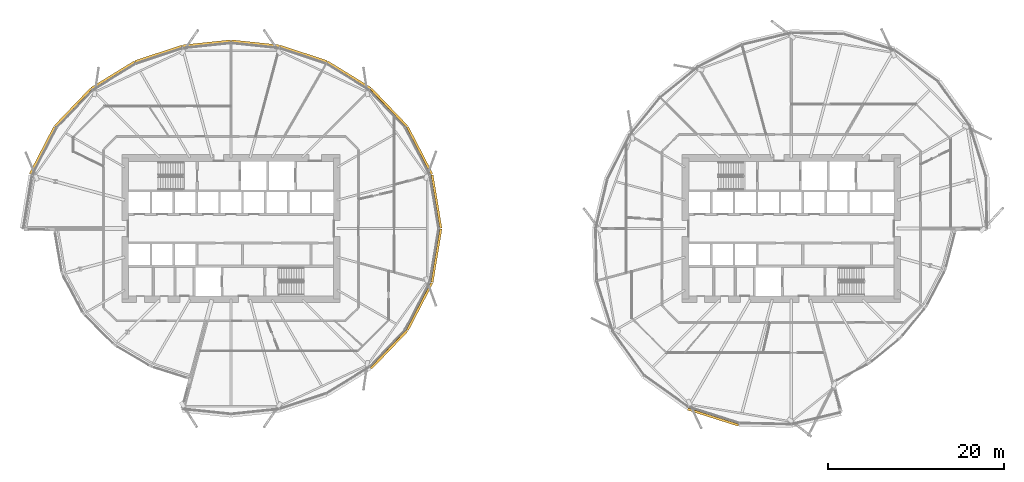
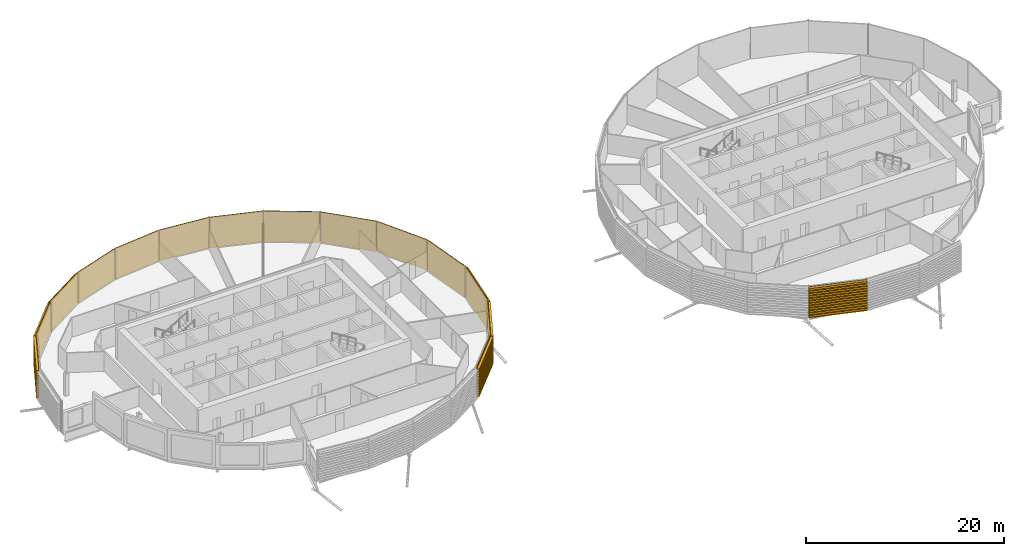
# One storey, part 36 of 39: 15 coverings.
"""IFC4 building model written with IfcOpenShell, lengths in metres."""

from ifc_helpers import new_model, si_unit, direction, frame, origin, place, context, subcontext, project, spatial, polyline, outline, extrude, material, material_profile, profile_set, type_object, element, save


model = new_model("IFC4")

# Units and contexts
model_context = context("Model", 3, precision=1e-05, world=origin(), true_north=direction((0.0, 1.0)))
body_context = subcontext(model_context, "Body", "Model", "MODEL_VIEW")
ifc_project = project(units=[si_unit("LENGTHUNIT", "METRE"), si_unit("AREAUNIT", "SQUARE_METRE"), si_unit("VOLUMEUNIT", "CUBIC_METRE"), si_unit("PLANEANGLEUNIT", "RADIAN"), si_unit("MASSUNIT", "GRAM", prefix="KILO")], contexts=[model_context])

# Site, building, storey
site_placement = place(None, origin())
site = spatial("IfcSite", under=ifc_project, at=site_placement, CompositionType="ELEMENT")
building_placement = place(site_placement, origin())
building = spatial("IfcBuilding", under=site, at=building_placement, Name="Rimbun Link Towers", CompositionType="ELEMENT")
storey_placement = place(building_placement, frame((0.0, 0.0, 100.60009765625)))
storey = spatial("IfcBuildingStorey", under=building, at=storey_placement, Name="L24", CompositionType="ELEMENT", Elevation=100.60009765625)

# Coverings
ifc_material = material(Name="Terracotta", Category="masonry")
ifc_material_profile = material_profile(ifc_material, outline(polyline([(0.123046875, 0.0), (0.1630859375, 0.0), (0.1630859375, 0.10009765625), (0.423095703125, 0.10009765625), (0.423095703125, 0.219970703125), (0.1630859375, 0.219970703125), (0.1630859375, 0.39990234375), (0.423095703125, 0.39990234375), (0.423095703125, 0.52001953125), (0.1630859375, 0.52001953125), (0.1630859375, 0.699951171875), (0.423095703125, 0.699951171875), (0.423095703125, 0.820068359375), (0.1630859375, 0.820068359375), (0.1630859375, 1.0), (0.423095703125, 1.0), (0.423095703125, 1.1201171875), (0.1630859375, 1.1201171875), (0.1630859375, 1.300048828125), (0.423095703125, 1.300048828125), (0.423095703125, 1.419921875), (0.1630859375, 1.419921875), (0.1630859375, 1.60009765625), (0.423095703125, 1.60009765625), (0.423095703125, 1.719970703125), (0.1630859375, 1.719970703125), (0.1630859375, 1.89990234375), (0.423095703125, 1.89990234375), (0.423095703125, 2.02001953125), (0.1630859375, 2.02001953125), (0.1630859375, 2.199951171875), (0.423095703125, 2.199951171875), (0.423095703125, 2.320068359375), (0.1630859375, 2.320068359375), (0.1630859375, 2.5), (0.423095703125, 2.5), (0.423095703125, 2.6201171875), (0.1630859375, 2.6201171875), (0.1630859375, 2.800048828125), (0.423095703125, 2.800048828125), (0.423095703125, 2.919921875), (0.1630859375, 2.919921875), (0.1630859375, 3.10009765625), (0.423095703125, 3.10009765625), (0.423095703125, 3.219970703125), (0.1630859375, 3.219970703125), (0.1630859375, 3.39990234375), (0.423095703125, 3.39990234375), (0.423095703125, 3.52001953125), (0.1630859375, 3.52001953125), (0.1630859375, 3.800048828125), (0.123046875, 3.800048828125), (0.123046875, 0.0)])), Name="BAGUETTE 120X300")
ifc_profile_set = profile_set([ifc_material_profile], Name="Terracotta")
covering_type = type_object("IfcCoveringType", Name="TERRACOTTA BAGUETTE 120X300 H3800", PredefinedType="CLADDING", material=ifc_profile_set)
covering_1_placement = place(storey_placement, frame((-9.247314453125, 6.029541015625, 0.0), z_axis=(0.162292931739, -0.986742623133, 0.0), x_axis=(0.986742623133, 0.162292931739, 0.0)))
element("IfcCovering", 1, at=covering_1_placement, inside=storey, type_object=covering_type, Name="TERRACOTTA BAGUETTE", PredefinedType="CLADDING", context=body_context, shape_type="SweptSolid", body=[
    extrude(outline(polyline([(0.123046875, 0.0), (0.1630859375, 0.0), (0.1630859375, 0.10009765625), (0.423095703125, 0.10009765625), (0.423095703125, 0.219970703125), (0.1630859375, 0.219970703125), (0.1630859375, 0.39990234375), (0.423095703125, 0.39990234375), (0.423095703125, 0.52001953125), (0.1630859375, 0.52001953125), (0.1630859375, 0.699951171875), (0.423095703125, 0.699951171875), (0.423095703125, 0.820068359375), (0.1630859375, 0.820068359375), (0.1630859375, 1.0), (0.423095703125, 1.0), (0.423095703125, 1.1201171875), (0.1630859375, 1.1201171875), (0.1630859375, 1.300048828125), (0.423095703125, 1.300048828125), (0.423095703125, 1.419921875), (0.1630859375, 1.419921875), (0.1630859375, 1.60009765625), (0.423095703125, 1.60009765625), (0.423095703125, 1.719970703125), (0.1630859375, 1.719970703125), (0.1630859375, 1.89990234375), (0.423095703125, 1.89990234375), (0.423095703125, 2.02001953125), (0.1630859375, 2.02001953125), (0.1630859375, 2.199951171875), (0.423095703125, 2.199951171875), (0.423095703125, 2.320068359375), (0.1630859375, 2.320068359375), (0.1630859375, 2.5), (0.423095703125, 2.5), (0.423095703125, 2.6201171875), (0.1630859375, 2.6201171875), (0.1630859375, 2.800048828125), (0.423095703125, 2.800048828125), (0.423095703125, 2.919921875), (0.1630859375, 2.919921875), (0.1630859375, 3.10009765625), (0.423095703125, 3.10009765625), (0.423095703125, 3.219970703125), (0.1630859375, 3.219970703125), (0.1630859375, 3.39990234375), (0.423095703125, 3.39990234375), (0.423095703125, 3.52001953125), (0.1630859375, 3.52001953125), (0.1630859375, 3.800048828125), (0.123046875, 3.800048828125), (0.123046875, 0.0)])), origin(), (0.0, 0.0, 1.0), 6.110595703125),
])
covering_2_placement = place(storey_placement, frame((-12.02099609375, 11.390380859375, 0.0), z_axis=(0.459531852327, -0.888161289799, 0.0), x_axis=(0.888161289799, 0.459531852327, 0.0)))
element("IfcCovering", 2, at=covering_2_placement, inside=storey, type_object=covering_type, Name="TERRACOTTA BAGUETTE", PredefinedType="CLADDING", context=body_context, shape_type="SweptSolid", body=[
    extrude(outline(polyline([(0.123046875, 0.0), (0.1630859375, 0.0), (0.1630859375, 0.10009765625), (0.423095703125, 0.10009765625), (0.423095703125, 0.219970703125), (0.1630859375, 0.219970703125), (0.1630859375, 0.39990234375), (0.423095703125, 0.39990234375), (0.423095703125, 0.52001953125), (0.1630859375, 0.52001953125), (0.1630859375, 0.699951171875), (0.423095703125, 0.699951171875), (0.423095703125, 0.820068359375), (0.1630859375, 0.820068359375), (0.1630859375, 1.0), (0.423095703125, 1.0), (0.423095703125, 1.1201171875), (0.1630859375, 1.1201171875), (0.1630859375, 1.300048828125), (0.423095703125, 1.300048828125), (0.423095703125, 1.419921875), (0.1630859375, 1.419921875), (0.1630859375, 1.60009765625), (0.423095703125, 1.60009765625), (0.423095703125, 1.719970703125), (0.1630859375, 1.719970703125), (0.1630859375, 1.89990234375), (0.423095703125, 1.89990234375), (0.423095703125, 2.02001953125), (0.1630859375, 2.02001953125), (0.1630859375, 2.199951171875), (0.423095703125, 2.199951171875), (0.423095703125, 2.320068359375), (0.1630859375, 2.320068359375), (0.1630859375, 2.5), (0.423095703125, 2.5), (0.423095703125, 2.6201171875), (0.1630859375, 2.6201171875), (0.1630859375, 2.800048828125), (0.423095703125, 2.800048828125), (0.423095703125, 2.919921875), (0.1630859375, 2.919921875), (0.1630859375, 3.10009765625), (0.423095703125, 3.10009765625), (0.423095703125, 3.219970703125), (0.1630859375, 3.219970703125), (0.1630859375, 3.39990234375), (0.423095703125, 3.39990234375), (0.423095703125, 3.52001953125), (0.1630859375, 3.52001953125), (0.1630859375, 3.800048828125), (0.123046875, 3.800048828125), (0.123046875, 0.0)])), origin(), (0.0, 0.0, 1.0), 6.035888671875),
])
covering_3_placement = place(storey_placement, frame((-16.102294921875, 15.647705078125, 0.0), z_axis=(0.69202583437, -0.721872734327, 0.0), x_axis=(0.721872734327, 0.69202583437, 0.0)))
element("IfcCovering", 3, at=covering_3_placement, inside=storey, type_object=covering_type, Name="TERRACOTTA BAGUETTE", PredefinedType="CLADDING", context=body_context, shape_type="SweptSolid", body=[
    extrude(outline(polyline([(0.123046875, 0.0), (0.1630859375, 0.0), (0.1630859375, 0.10009765625), (0.423095703125, 0.10009765625), (0.423095703125, 0.219970703125), (0.1630859375, 0.219970703125), (0.1630859375, 0.39990234375), (0.423095703125, 0.39990234375), (0.423095703125, 0.52001953125), (0.1630859375, 0.52001953125), (0.1630859375, 0.699951171875), (0.423095703125, 0.699951171875), (0.423095703125, 0.820068359375), (0.1630859375, 0.820068359375), (0.1630859375, 1.0), (0.423095703125, 1.0), (0.423095703125, 1.1201171875), (0.1630859375, 1.1201171875), (0.1630859375, 1.300048828125), (0.423095703125, 1.300048828125), (0.423095703125, 1.419921875), (0.1630859375, 1.419921875), (0.1630859375, 1.60009765625), (0.423095703125, 1.60009765625), (0.423095703125, 1.719970703125), (0.1630859375, 1.719970703125), (0.1630859375, 1.89990234375), (0.423095703125, 1.89990234375), (0.423095703125, 2.02001953125), (0.1630859375, 2.02001953125), (0.1630859375, 2.199951171875), (0.423095703125, 2.199951171875), (0.423095703125, 2.320068359375), (0.1630859375, 2.320068359375), (0.1630859375, 2.5), (0.423095703125, 2.5), (0.423095703125, 2.6201171875), (0.1630859375, 2.6201171875), (0.1630859375, 2.800048828125), (0.423095703125, 2.800048828125), (0.423095703125, 2.919921875), (0.1630859375, 2.919921875), (0.1630859375, 3.10009765625), (0.423095703125, 3.10009765625), (0.423095703125, 3.219970703125), (0.1630859375, 3.219970703125), (0.1630859375, 3.39990234375), (0.423095703125, 3.39990234375), (0.423095703125, 3.52001953125), (0.1630859375, 3.52001953125), (0.1630859375, 3.800048828125), (0.123046875, 3.800048828125), (0.123046875, 0.0)])), origin(), (0.0, 0.0, 1.0), 5.897705078125),
])
covering_4_placement = place(storey_placement, frame((-20.985107421875, 18.6455078125, 0.0), z_axis=(0.852203557922, -0.523210374386, 0.0), x_axis=(0.523210374386, 0.852203557922, 0.0)))
element("IfcCovering", 4, at=covering_4_placement, inside=storey, type_object=covering_type, Name="TERRACOTTA BAGUETTE", PredefinedType="CLADDING", context=body_context, shape_type="SweptSolid", body=[
    extrude(outline(polyline([(0.123046875, 0.0), (0.1630859375, 0.0), (0.1630859375, 0.10009765625), (0.423095703125, 0.10009765625), (0.423095703125, 0.219970703125), (0.1630859375, 0.219970703125), (0.1630859375, 0.39990234375), (0.423095703125, 0.39990234375), (0.423095703125, 0.52001953125), (0.1630859375, 0.52001953125), (0.1630859375, 0.699951171875), (0.423095703125, 0.699951171875), (0.423095703125, 0.820068359375), (0.1630859375, 0.820068359375), (0.1630859375, 1.0), (0.423095703125, 1.0), (0.423095703125, 1.1201171875), (0.1630859375, 1.1201171875), (0.1630859375, 1.300048828125), (0.423095703125, 1.300048828125), (0.423095703125, 1.419921875), (0.1630859375, 1.419921875), (0.1630859375, 1.60009765625), (0.423095703125, 1.60009765625), (0.423095703125, 1.719970703125), (0.1630859375, 1.719970703125), (0.1630859375, 1.89990234375), (0.423095703125, 1.89990234375), (0.423095703125, 2.02001953125), (0.1630859375, 2.02001953125), (0.1630859375, 2.199951171875), (0.423095703125, 2.199951171875), (0.423095703125, 2.320068359375), (0.1630859375, 2.320068359375), (0.1630859375, 2.5), (0.423095703125, 2.5), (0.423095703125, 2.6201171875), (0.1630859375, 2.6201171875), (0.1630859375, 2.800048828125), (0.423095703125, 2.800048828125), (0.423095703125, 2.919921875), (0.1630859375, 2.919921875), (0.1630859375, 3.10009765625), (0.423095703125, 3.10009765625), (0.423095703125, 3.219970703125), (0.1630859375, 3.219970703125), (0.1630859375, 3.39990234375), (0.423095703125, 3.39990234375), (0.423095703125, 3.52001953125), (0.1630859375, 3.52001953125), (0.1630859375, 3.800048828125), (0.123046875, 3.800048828125), (0.123046875, 0.0)])), origin(), (0.0, 0.0, 1.0), 5.729736328125),
])
covering_5_placement = place(storey_placement, frame((-26.283447265625, 20.4013671875, 0.0), z_axis=(0.949232974072, -0.31457393556, 0.0), x_axis=(0.31457393556, 0.949232974072, 0.0)))
element("IfcCovering", 5, at=covering_5_placement, inside=storey, type_object=covering_type, Name="TERRACOTTA BAGUETTE", PredefinedType="CLADDING", context=body_context, shape_type="SweptSolid", body=[
    extrude(outline(polyline([(0.123046875, 0.0), (0.1630859375, 0.0), (0.1630859375, 0.10009765625), (0.423095703125, 0.10009765625), (0.423095703125, 0.219970703125), (0.1630859375, 0.219970703125), (0.1630859375, 0.39990234375), (0.423095703125, 0.39990234375), (0.423095703125, 0.52001953125), (0.1630859375, 0.52001953125), (0.1630859375, 0.699951171875), (0.423095703125, 0.699951171875), (0.423095703125, 0.820068359375), (0.1630859375, 0.820068359375), (0.1630859375, 1.0), (0.423095703125, 1.0), (0.423095703125, 1.1201171875), (0.1630859375, 1.1201171875), (0.1630859375, 1.300048828125), (0.423095703125, 1.300048828125), (0.423095703125, 1.419921875), (0.1630859375, 1.419921875), (0.1630859375, 1.60009765625), (0.423095703125, 1.60009765625), (0.423095703125, 1.719970703125), (0.1630859375, 1.719970703125), (0.1630859375, 1.89990234375), (0.423095703125, 1.89990234375), (0.423095703125, 2.02001953125), (0.1630859375, 2.02001953125), (0.1630859375, 2.199951171875), (0.423095703125, 2.199951171875), (0.423095703125, 2.320068359375), (0.1630859375, 2.320068359375), (0.1630859375, 2.5), (0.423095703125, 2.5), (0.423095703125, 2.6201171875), (0.1630859375, 2.6201171875), (0.1630859375, 2.800048828125), (0.423095703125, 2.800048828125), (0.423095703125, 2.919921875), (0.1630859375, 2.919921875), (0.1630859375, 3.10009765625), (0.423095703125, 3.10009765625), (0.423095703125, 3.219970703125), (0.1630859375, 3.219970703125), (0.1630859375, 3.39990234375), (0.423095703125, 3.39990234375), (0.423095703125, 3.52001953125), (0.1630859375, 3.52001953125), (0.1630859375, 3.800048828125), (0.123046875, 3.800048828125), (0.123046875, 0.0)])), origin(), (0.0, 0.0, 1.0), 5.581787109375),
])
for number, where, z_axis, x_axis, name in (
    (6, (-31.75, 20.97705078125, 0.0), (0.994500584428, -0.10473102488, 0.0), (0.10473102488, 0.994500584428, 0.0), "TERRACOTTA BAGUETTE"),
    (7, (-37.216552734375, 20.4013671875, 0.0), (0.994500584428, 0.10473102488, 0.0), (-0.10473102488, 0.994500584428, 0.0), "TERRACOTTA BAGUETTE"),
):
    element("IfcCovering", number, at=place(storey_placement, frame(where, z_axis=z_axis, x_axis=x_axis)), inside=storey, type_object=covering_type, Name=name, PredefinedType="CLADDING", context=body_context, shape_type="SweptSolid", body=[
        extrude(outline(polyline([(0.123046875, 0.0), (0.1630859375, 0.0), (0.1630859375, 0.10009765625), (0.423095703125, 0.10009765625), (0.423095703125, 0.219970703125), (0.1630859375, 0.219970703125), (0.1630859375, 0.39990234375), (0.423095703125, 0.39990234375), (0.423095703125, 0.52001953125), (0.1630859375, 0.52001953125), (0.1630859375, 0.699951171875), (0.423095703125, 0.699951171875), (0.423095703125, 0.820068359375), (0.1630859375, 0.820068359375), (0.1630859375, 1.0), (0.423095703125, 1.0), (0.423095703125, 1.1201171875), (0.1630859375, 1.1201171875), (0.1630859375, 1.300048828125), (0.423095703125, 1.300048828125), (0.423095703125, 1.419921875), (0.1630859375, 1.419921875), (0.1630859375, 1.60009765625), (0.423095703125, 1.60009765625), (0.423095703125, 1.719970703125), (0.1630859375, 1.719970703125), (0.1630859375, 1.89990234375), (0.423095703125, 1.89990234375), (0.423095703125, 2.02001953125), (0.1630859375, 2.02001953125), (0.1630859375, 2.199951171875), (0.423095703125, 2.199951171875), (0.423095703125, 2.320068359375), (0.1630859375, 2.320068359375), (0.1630859375, 2.5), (0.423095703125, 2.5), (0.423095703125, 2.6201171875), (0.1630859375, 2.6201171875), (0.1630859375, 2.800048828125), (0.423095703125, 2.800048828125), (0.423095703125, 2.919921875), (0.1630859375, 2.919921875), (0.1630859375, 3.10009765625), (0.423095703125, 3.10009765625), (0.423095703125, 3.219970703125), (0.1630859375, 3.219970703125), (0.1630859375, 3.39990234375), (0.423095703125, 3.39990234375), (0.423095703125, 3.52001953125), (0.1630859375, 3.52001953125), (0.1630859375, 3.800048828125), (0.123046875, 3.800048828125), (0.123046875, 0.0)])), origin(), (0.0, 0.0, 1.0), 5.496826171875),
    ])
covering_6_placement = place(storey_placement, frame((-42.514892578125, 18.6455078125, 0.0), z_axis=(0.949232974072, 0.31457393556, 0.0), x_axis=(-0.31457393556, 0.949232974072, 0.0)))
element("IfcCovering", 8, at=covering_6_placement, inside=storey, type_object=covering_type, Name="TERRACOTTA BAGUETTE", PredefinedType="CLADDING", context=body_context, shape_type="SweptSolid", body=[
    extrude(outline(polyline([(0.123046875, 0.0), (0.1630859375, 0.0), (0.1630859375, 0.10009765625), (0.423095703125, 0.10009765625), (0.423095703125, 0.219970703125), (0.1630859375, 0.219970703125), (0.1630859375, 0.39990234375), (0.423095703125, 0.39990234375), (0.423095703125, 0.52001953125), (0.1630859375, 0.52001953125), (0.1630859375, 0.699951171875), (0.423095703125, 0.699951171875), (0.423095703125, 0.820068359375), (0.1630859375, 0.820068359375), (0.1630859375, 1.0), (0.423095703125, 1.0), (0.423095703125, 1.1201171875), (0.1630859375, 1.1201171875), (0.1630859375, 1.300048828125), (0.423095703125, 1.300048828125), (0.423095703125, 1.419921875), (0.1630859375, 1.419921875), (0.1630859375, 1.60009765625), (0.423095703125, 1.60009765625), (0.423095703125, 1.719970703125), (0.1630859375, 1.719970703125), (0.1630859375, 1.89990234375), (0.423095703125, 1.89990234375), (0.423095703125, 2.02001953125), (0.1630859375, 2.02001953125), (0.1630859375, 2.199951171875), (0.423095703125, 2.199951171875), (0.423095703125, 2.320068359375), (0.1630859375, 2.320068359375), (0.1630859375, 2.5), (0.423095703125, 2.5), (0.423095703125, 2.6201171875), (0.1630859375, 2.6201171875), (0.1630859375, 2.800048828125), (0.423095703125, 2.800048828125), (0.423095703125, 2.919921875), (0.1630859375, 2.919921875), (0.1630859375, 3.10009765625), (0.423095703125, 3.10009765625), (0.423095703125, 3.219970703125), (0.1630859375, 3.219970703125), (0.1630859375, 3.39990234375), (0.423095703125, 3.39990234375), (0.423095703125, 3.52001953125), (0.1630859375, 3.52001953125), (0.1630859375, 3.800048828125), (0.123046875, 3.800048828125), (0.123046875, 0.0)])), origin(), (0.0, 0.0, 1.0), 5.581787109375),
])
covering_7_placement = place(storey_placement, frame((-47.397705078125, 15.647705078125, 0.0), z_axis=(0.852203557922, 0.523210374386, 0.0), x_axis=(-0.523210374386, 0.852203557922, 0.0)))
element("IfcCovering", 9, at=covering_7_placement, inside=storey, type_object=covering_type, Name="TERRACOTTA BAGUETTE", PredefinedType="CLADDING", context=body_context, shape_type="SweptSolid", body=[
    extrude(outline(polyline([(0.123046875, 0.0), (0.1630859375, 0.0), (0.1630859375, 0.10009765625), (0.423095703125, 0.10009765625), (0.423095703125, 0.219970703125), (0.1630859375, 0.219970703125), (0.1630859375, 0.39990234375), (0.423095703125, 0.39990234375), (0.423095703125, 0.52001953125), (0.1630859375, 0.52001953125), (0.1630859375, 0.699951171875), (0.423095703125, 0.699951171875), (0.423095703125, 0.820068359375), (0.1630859375, 0.820068359375), (0.1630859375, 1.0), (0.423095703125, 1.0), (0.423095703125, 1.1201171875), (0.1630859375, 1.1201171875), (0.1630859375, 1.300048828125), (0.423095703125, 1.300048828125), (0.423095703125, 1.419921875), (0.1630859375, 1.419921875), (0.1630859375, 1.60009765625), (0.423095703125, 1.60009765625), (0.423095703125, 1.719970703125), (0.1630859375, 1.719970703125), (0.1630859375, 1.89990234375), (0.423095703125, 1.89990234375), (0.423095703125, 2.02001953125), (0.1630859375, 2.02001953125), (0.1630859375, 2.199951171875), (0.423095703125, 2.199951171875), (0.423095703125, 2.320068359375), (0.1630859375, 2.320068359375), (0.1630859375, 2.5), (0.423095703125, 2.5), (0.423095703125, 2.6201171875), (0.1630859375, 2.6201171875), (0.1630859375, 2.800048828125), (0.423095703125, 2.800048828125), (0.423095703125, 2.919921875), (0.1630859375, 2.919921875), (0.1630859375, 3.10009765625), (0.423095703125, 3.10009765625), (0.423095703125, 3.219970703125), (0.1630859375, 3.219970703125), (0.1630859375, 3.39990234375), (0.423095703125, 3.39990234375), (0.423095703125, 3.52001953125), (0.1630859375, 3.52001953125), (0.1630859375, 3.800048828125), (0.123046875, 3.800048828125), (0.123046875, 0.0)])), origin(), (0.0, 0.0, 1.0), 5.729736328125),
])
covering_8_placement = place(storey_placement, frame((-51.47900390625, 11.390380859375, 0.0), z_axis=(0.69202583437, 0.721872734327, 0.0), x_axis=(-0.721872734327, 0.69202583437, 0.0)))
element("IfcCovering", 10, at=covering_8_placement, inside=storey, type_object=covering_type, Name="TERRACOTTA BAGUETTE", PredefinedType="CLADDING", context=body_context, shape_type="SweptSolid", body=[
    extrude(outline(polyline([(0.123046875, 0.0), (0.1630859375, 0.0), (0.1630859375, 0.10009765625), (0.423095703125, 0.10009765625), (0.423095703125, 0.219970703125), (0.1630859375, 0.219970703125), (0.1630859375, 0.39990234375), (0.423095703125, 0.39990234375), (0.423095703125, 0.52001953125), (0.1630859375, 0.52001953125), (0.1630859375, 0.699951171875), (0.423095703125, 0.699951171875), (0.423095703125, 0.820068359375), (0.1630859375, 0.820068359375), (0.1630859375, 1.0), (0.423095703125, 1.0), (0.423095703125, 1.1201171875), (0.1630859375, 1.1201171875), (0.1630859375, 1.300048828125), (0.423095703125, 1.300048828125), (0.423095703125, 1.419921875), (0.1630859375, 1.419921875), (0.1630859375, 1.60009765625), (0.423095703125, 1.60009765625), (0.423095703125, 1.719970703125), (0.1630859375, 1.719970703125), (0.1630859375, 1.89990234375), (0.423095703125, 1.89990234375), (0.423095703125, 2.02001953125), (0.1630859375, 2.02001953125), (0.1630859375, 2.199951171875), (0.423095703125, 2.199951171875), (0.423095703125, 2.320068359375), (0.1630859375, 2.320068359375), (0.1630859375, 2.5), (0.423095703125, 2.5), (0.423095703125, 2.6201171875), (0.1630859375, 2.6201171875), (0.1630859375, 2.800048828125), (0.423095703125, 2.800048828125), (0.423095703125, 2.919921875), (0.1630859375, 2.919921875), (0.1630859375, 3.10009765625), (0.423095703125, 3.10009765625), (0.423095703125, 3.219970703125), (0.1630859375, 3.219970703125), (0.1630859375, 3.39990234375), (0.423095703125, 3.39990234375), (0.423095703125, 3.52001953125), (0.1630859375, 3.52001953125), (0.1630859375, 3.800048828125), (0.123046875, 3.800048828125), (0.123046875, 0.0)])), origin(), (0.0, 0.0, 1.0), 5.897705078125),
])
covering_9_placement = place(storey_placement, frame((-54.252685546875, 6.029541015625, 0.0), z_axis=(0.459531852327, 0.888161289799, 0.0), x_axis=(-0.888161289799, 0.459531852327, 0.0)))
element("IfcCovering", 11, at=covering_9_placement, inside=storey, type_object=covering_type, Name="TERRACOTTA BAGUETTE", PredefinedType="CLADDING", context=body_context, shape_type="SweptSolid", body=[
    extrude(outline(polyline([(0.123046875, 0.0), (0.1630859375, 0.0), (0.1630859375, 0.10009765625), (0.423095703125, 0.10009765625), (0.423095703125, 0.219970703125), (0.1630859375, 0.219970703125), (0.1630859375, 0.39990234375), (0.423095703125, 0.39990234375), (0.423095703125, 0.52001953125), (0.1630859375, 0.52001953125), (0.1630859375, 0.699951171875), (0.423095703125, 0.699951171875), (0.423095703125, 0.820068359375), (0.1630859375, 0.820068359375), (0.1630859375, 1.0), (0.423095703125, 1.0), (0.423095703125, 1.1201171875), (0.1630859375, 1.1201171875), (0.1630859375, 1.300048828125), (0.423095703125, 1.300048828125), (0.423095703125, 1.419921875), (0.1630859375, 1.419921875), (0.1630859375, 1.60009765625), (0.423095703125, 1.60009765625), (0.423095703125, 1.719970703125), (0.1630859375, 1.719970703125), (0.1630859375, 1.89990234375), (0.423095703125, 1.89990234375), (0.423095703125, 2.02001953125), (0.1630859375, 2.02001953125), (0.1630859375, 2.199951171875), (0.423095703125, 2.199951171875), (0.423095703125, 2.320068359375), (0.1630859375, 2.320068359375), (0.1630859375, 2.5), (0.423095703125, 2.5), (0.423095703125, 2.6201171875), (0.1630859375, 2.6201171875), (0.1630859375, 2.800048828125), (0.423095703125, 2.800048828125), (0.423095703125, 2.919921875), (0.1630859375, 2.919921875), (0.1630859375, 3.10009765625), (0.423095703125, 3.10009765625), (0.423095703125, 3.219970703125), (0.1630859375, 3.219970703125), (0.1630859375, 3.39990234375), (0.423095703125, 3.39990234375), (0.423095703125, 3.52001953125), (0.1630859375, 3.52001953125), (0.1630859375, 3.800048828125), (0.123046875, 3.800048828125), (0.123046875, 0.0)])), origin(), (0.0, 0.0, 1.0), 6.035888671875),
])
covering_10_placement = place(storey_placement, frame((-12.02099609375, -11.390380859375, 0.0), z_axis=(-0.69202583437, -0.721872734327, 0.0), x_axis=(0.721872734327, -0.69202583437, 0.0)))
element("IfcCovering", 12, at=covering_10_placement, inside=storey, type_object=covering_type, Name="TERRACOTTA BAGUETTE", PredefinedType="CLADDING", context=body_context, shape_type="SweptSolid", body=[
    extrude(outline(polyline([(0.123046875, 0.0), (0.1630859375, 0.0), (0.1630859375, 0.10009765625), (0.423095703125, 0.10009765625), (0.423095703125, 0.219970703125), (0.1630859375, 0.219970703125), (0.1630859375, 0.39990234375), (0.423095703125, 0.39990234375), (0.423095703125, 0.52001953125), (0.1630859375, 0.52001953125), (0.1630859375, 0.699951171875), (0.423095703125, 0.699951171875), (0.423095703125, 0.820068359375), (0.1630859375, 0.820068359375), (0.1630859375, 1.0), (0.423095703125, 1.0), (0.423095703125, 1.1201171875), (0.1630859375, 1.1201171875), (0.1630859375, 1.300048828125), (0.423095703125, 1.300048828125), (0.423095703125, 1.419921875), (0.1630859375, 1.419921875), (0.1630859375, 1.60009765625), (0.423095703125, 1.60009765625), (0.423095703125, 1.719970703125), (0.1630859375, 1.719970703125), (0.1630859375, 1.89990234375), (0.423095703125, 1.89990234375), (0.423095703125, 2.02001953125), (0.1630859375, 2.02001953125), (0.1630859375, 2.199951171875), (0.423095703125, 2.199951171875), (0.423095703125, 2.320068359375), (0.1630859375, 2.320068359375), (0.1630859375, 2.5), (0.423095703125, 2.5), (0.423095703125, 2.6201171875), (0.1630859375, 2.6201171875), (0.1630859375, 2.800048828125), (0.423095703125, 2.800048828125), (0.423095703125, 2.919921875), (0.1630859375, 2.919921875), (0.1630859375, 3.10009765625), (0.423095703125, 3.10009765625), (0.423095703125, 3.219970703125), (0.1630859375, 3.219970703125), (0.1630859375, 3.39990234375), (0.423095703125, 3.39990234375), (0.423095703125, 3.52001953125), (0.1630859375, 3.52001953125), (0.1630859375, 3.800048828125), (0.123046875, 3.800048828125), (0.123046875, 0.0)])), origin(), (0.0, 0.0, 1.0), 5.897705078125),
])
covering_11_placement = place(storey_placement, frame((-9.247314453125, -6.029541015625, 0.0), z_axis=(-0.459531852327, -0.888161289799, 0.0), x_axis=(0.888161289799, -0.459531852327, 0.0)))
element("IfcCovering", 13, at=covering_11_placement, inside=storey, type_object=covering_type, Name="TERRACOTTA BAGUETTE", PredefinedType="CLADDING", context=body_context, shape_type="SweptSolid", body=[
    extrude(outline(polyline([(0.123046875, 0.0), (0.1630859375, 0.0), (0.1630859375, 0.10009765625), (0.423095703125, 0.10009765625), (0.423095703125, 0.219970703125), (0.1630859375, 0.219970703125), (0.1630859375, 0.39990234375), (0.423095703125, 0.39990234375), (0.423095703125, 0.52001953125), (0.1630859375, 0.52001953125), (0.1630859375, 0.699951171875), (0.423095703125, 0.699951171875), (0.423095703125, 0.820068359375), (0.1630859375, 0.820068359375), (0.1630859375, 1.0), (0.423095703125, 1.0), (0.423095703125, 1.1201171875), (0.1630859375, 1.1201171875), (0.1630859375, 1.300048828125), (0.423095703125, 1.300048828125), (0.423095703125, 1.419921875), (0.1630859375, 1.419921875), (0.1630859375, 1.60009765625), (0.423095703125, 1.60009765625), (0.423095703125, 1.719970703125), (0.1630859375, 1.719970703125), (0.1630859375, 1.89990234375), (0.423095703125, 1.89990234375), (0.423095703125, 2.02001953125), (0.1630859375, 2.02001953125), (0.1630859375, 2.199951171875), (0.423095703125, 2.199951171875), (0.423095703125, 2.320068359375), (0.1630859375, 2.320068359375), (0.1630859375, 2.5), (0.423095703125, 2.5), (0.423095703125, 2.6201171875), (0.1630859375, 2.6201171875), (0.1630859375, 2.800048828125), (0.423095703125, 2.800048828125), (0.423095703125, 2.919921875), (0.1630859375, 2.919921875), (0.1630859375, 3.10009765625), (0.423095703125, 3.10009765625), (0.423095703125, 3.219970703125), (0.1630859375, 3.219970703125), (0.1630859375, 3.39990234375), (0.423095703125, 3.39990234375), (0.423095703125, 3.52001953125), (0.1630859375, 3.52001953125), (0.1630859375, 3.800048828125), (0.123046875, 3.800048828125), (0.123046875, 0.0)])), origin(), (0.0, 0.0, 1.0), 6.035888671875),
])
covering_12_placement = place(storey_placement, frame((-8.255615234375, 0.0, 0.0), z_axis=(-0.162292931739, -0.986742623133, 0.0), x_axis=(0.986742623133, -0.162292931739, 0.0)))
element("IfcCovering", 14, at=covering_12_placement, inside=storey, type_object=covering_type, Name="TERRACOTTA BAGUETTE", PredefinedType="CLADDING", context=body_context, shape_type="SweptSolid", body=[
    extrude(outline(polyline([(0.123046875, 0.0), (0.1630859375, 0.0), (0.1630859375, 0.10009765625), (0.423095703125, 0.10009765625), (0.423095703125, 0.219970703125), (0.1630859375, 0.219970703125), (0.1630859375, 0.39990234375), (0.423095703125, 0.39990234375), (0.423095703125, 0.52001953125), (0.1630859375, 0.52001953125), (0.1630859375, 0.699951171875), (0.423095703125, 0.699951171875), (0.423095703125, 0.820068359375), (0.1630859375, 0.820068359375), (0.1630859375, 1.0), (0.423095703125, 1.0), (0.423095703125, 1.1201171875), (0.1630859375, 1.1201171875), (0.1630859375, 1.300048828125), (0.423095703125, 1.300048828125), (0.423095703125, 1.419921875), (0.1630859375, 1.419921875), (0.1630859375, 1.60009765625), (0.423095703125, 1.60009765625), (0.423095703125, 1.719970703125), (0.1630859375, 1.719970703125), (0.1630859375, 1.89990234375), (0.423095703125, 1.89990234375), (0.423095703125, 2.02001953125), (0.1630859375, 2.02001953125), (0.1630859375, 2.199951171875), (0.423095703125, 2.199951171875), (0.423095703125, 2.320068359375), (0.1630859375, 2.320068359375), (0.1630859375, 2.5), (0.423095703125, 2.5), (0.423095703125, 2.6201171875), (0.1630859375, 2.6201171875), (0.1630859375, 2.800048828125), (0.423095703125, 2.800048828125), (0.423095703125, 2.919921875), (0.1630859375, 2.919921875), (0.1630859375, 3.10009765625), (0.423095703125, 3.10009765625), (0.423095703125, 3.219970703125), (0.1630859375, 3.219970703125), (0.1630859375, 3.39990234375), (0.423095703125, 3.39990234375), (0.423095703125, 3.52001953125), (0.1630859375, 3.52001953125), (0.1630859375, 3.800048828125), (0.123046875, 3.800048828125), (0.123046875, 0.0)])), origin(), (0.0, 0.0, 1.0), 6.110595703125),
])
covering_13_placement = place(storey_placement, frame((25.853759765625, -22.0048828125, 0.0), z_axis=(-0.952965082114, 0.303080108671, 0.0), x_axis=(-0.303080108671, -0.952965082114, 0.0)))
element("IfcCovering", 15, at=covering_13_placement, inside=storey, type_object=covering_type, Name="TERRACOTTA BAGUETTE", PredefinedType="CLADDING", context=body_context, shape_type="SweptSolid", body=[
    extrude(outline(polyline([(0.123046875, 0.0), (0.1630859375, 0.0), (0.1630859375, 0.10009765625), (0.423095703125, 0.10009765625), (0.423095703125, 0.219970703125), (0.1630859375, 0.219970703125), (0.1630859375, 0.39990234375), (0.423095703125, 0.39990234375), (0.423095703125, 0.52001953125), (0.1630859375, 0.52001953125), (0.1630859375, 0.699951171875), (0.423095703125, 0.699951171875), (0.423095703125, 0.820068359375), (0.1630859375, 0.820068359375), (0.1630859375, 1.0), (0.423095703125, 1.0), (0.423095703125, 1.1201171875), (0.1630859375, 1.1201171875), (0.1630859375, 1.300048828125), (0.423095703125, 1.300048828125), (0.423095703125, 1.419921875), (0.1630859375, 1.419921875), (0.1630859375, 1.60009765625), (0.423095703125, 1.60009765625), (0.423095703125, 1.719970703125), (0.1630859375, 1.719970703125), (0.1630859375, 1.89990234375), (0.423095703125, 1.89990234375), (0.423095703125, 2.02001953125), (0.1630859375, 2.02001953125), (0.1630859375, 2.199951171875), (0.423095703125, 2.199951171875), (0.423095703125, 2.320068359375), (0.1630859375, 2.320068359375), (0.1630859375, 2.5), (0.423095703125, 2.5), (0.423095703125, 2.6201171875), (0.1630859375, 2.6201171875), (0.1630859375, 2.800048828125), (0.423095703125, 2.800048828125), (0.423095703125, 2.919921875), (0.1630859375, 2.919921875), (0.1630859375, 3.10009765625), (0.423095703125, 3.10009765625), (0.423095703125, 3.219970703125), (0.1630859375, 3.219970703125), (0.1630859375, 3.39990234375), (0.423095703125, 3.39990234375), (0.423095703125, 3.52001953125), (0.1630859375, 3.52001953125), (0.1630859375, 3.800048828125), (0.123046875, 3.800048828125), (0.123046875, 0.0)])), origin(), (0.0, 0.0, 1.0), 6.035888671875),
])

save(model, "model.ifc")
